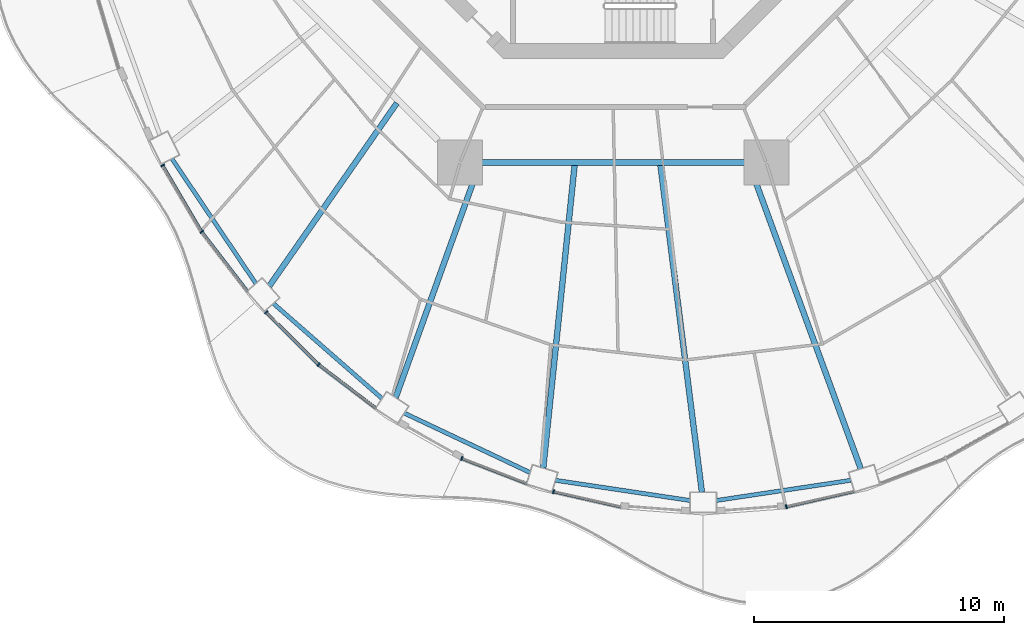
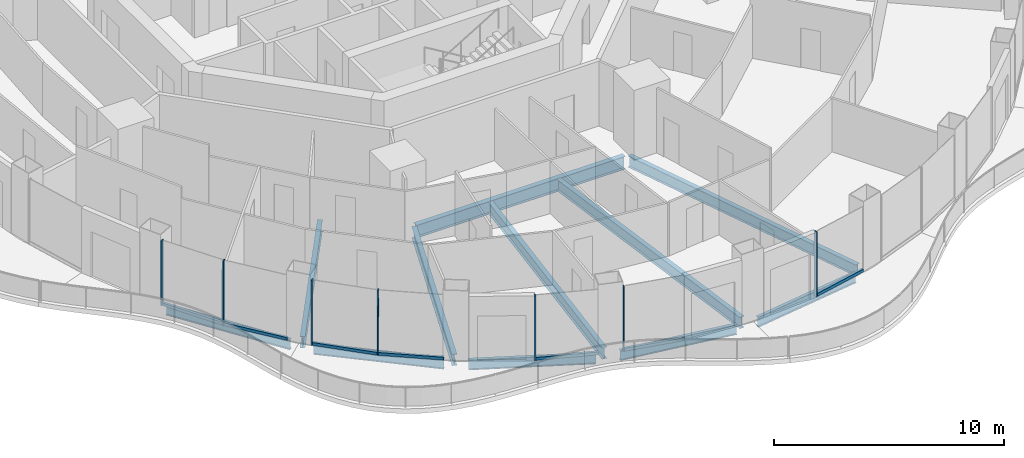
# One storey, part 2 of 19: 14 members, 11 beams, 7 elements without a shape of their own.
"""IFC4 building model written with IfcOpenShell, lengths in metres."""

import ifcopenshell
import ifcopenshell.guid

model = None  # the IFC model being written
_history = None  # IfcOwnerHistory: only IFC2X3 demands one
_inside = {}  # id of a spatial element -> (the spatial element, [elements in it])
_under = {}  # id of a project, library or spatial element -> (it, [spatial elements below it])
_declared = {}  # id of a project -> (the project, [libraries it declares])
_typed = {}  # id of a type object -> (the type object, [elements of that type])
_made_of = {}  # id of a material, layer set ... -> (it, [elements and type objects made of it])


def new_model(schema):
    """Start an empty IFC model of exactly this schema.

    Asked for "IFC4X3", IfcOpenShell would pick the latest addendum, in which some entities
    have other attributes; the version numbers below select the first issue.
    IFC2X3 requires an IfcOwnerHistory on every rooted entity: one is made here for all.
    """
    global model, _history
    if schema == "IFC4X3":
        model = ifcopenshell.file(schema_version=(4, 3, 0, 0))
    else:
        model = ifcopenshell.file(schema=schema)
    _inside.clear()
    _under.clear()
    _declared.clear()
    _typed.clear()
    _made_of.clear()
    _history = None
    if model.schema == "IFC2X3":
        org = make("IfcOrganization", Name="unknown")
        user = make(
            "IfcPersonAndOrganization",
            ThePerson=make("IfcPerson", FamilyName="unknown"),
            TheOrganization=org,
        )
        app = make(
            "IfcApplication",
            ApplicationDeveloper=org,
            Version="unknown",
            ApplicationFullName="unknown",
            ApplicationIdentifier="unknown",
        )
        _history = make(
            "IfcOwnerHistory",
            OwningUser=user,
            OwningApplication=app,
            ChangeAction="ADDED",
            CreationDate=0,
        )
    return model


def make(cls, **values):
    """One entity of the class cls with the attributes given. An attribute that is None is left unset."""
    return model.create_entity(
        cls, **{name: value for name, value in values.items() if value is not None}
    )


def rooted(cls, **values):
    """An entity with a GlobalId (a new one), such as an element, a storey or a relation."""
    return make(cls, GlobalId=ifcopenshell.guid.new(), OwnerHistory=_history, **values)


def si_unit(unit_type, name, prefix=None):
    """IfcSIUnit, for example si_unit("LENGTHUNIT", "METRE", prefix="MILLI")."""
    return make("IfcSIUnit", UnitType=unit_type, Prefix=prefix, Name=name)


def assignment(units):
    """IfcUnitAssignment: the units of a project."""
    return None if units is None else make("IfcUnitAssignment", Units=units)


def point(xyz):
    """IfcCartesianPoint."""
    return None if xyz is None else make("IfcCartesianPoint", Coordinates=xyz)


def direction(xyz):
    """IfcDirection."""
    return None if xyz is None else make("IfcDirection", DirectionRatios=xyz)


def frame(location, z_axis=None, x_axis=None):
    """IfcAxis2Placement3D, a coordinate frame: its origin and axes. An axis left out is left unset."""
    return make(
        "IfcAxis2Placement3D",
        Location=point(location),
        Axis=direction(z_axis),
        RefDirection=direction(x_axis),
    )


def frame_2d(location, x_axis=None):
    """IfcAxis2Placement2D, a coordinate frame in the plane: its origin and x axis."""
    return make(
        "IfcAxis2Placement2D", Location=point(location), RefDirection=direction(x_axis)
    )


def origin():
    """The frame at (0, 0, 0) with its axes left unset."""
    return frame((0.0, 0.0, 0.0))


def origin_2d():
    """The frame at (0, 0) in the plane with its x axis left unset."""
    return frame_2d((0.0, 0.0))


def place(relative_to, where):
    """IfcLocalPlacement: puts the frame where relative to a parent placement (None: the world)."""
    return make(
        "IfcLocalPlacement", PlacementRelTo=relative_to, RelativePlacement=where
    )


def context(
    kind, dimensions, precision=None, world=None, true_north=None, identifier=None
):
    """IfcGeometricRepresentationContext, for example the 3D "Model" context."""
    return make(
        "IfcGeometricRepresentationContext",
        ContextIdentifier=identifier,
        ContextType=kind,
        CoordinateSpaceDimension=dimensions,
        Precision=precision,
        WorldCoordinateSystem=world,
        TrueNorth=true_north,
    )


def subcontext(parent, identifier, kind, view, scale=None):
    """IfcGeometricRepresentationSubContext, for example "Body" below "Model"."""
    return make(
        "IfcGeometricRepresentationSubContext",
        ContextIdentifier=identifier,
        ContextType=kind,
        ParentContext=parent,
        TargetScale=scale,
        TargetView=view,
    )


def project(units=None, contexts=None):
    """IfcProject with its units and contexts."""
    return rooted(
        "IfcProject",
        Name="project",
        RepresentationContexts=contexts,
        UnitsInContext=assignment(units),
    )


def spatial(cls, under=None, at=None, **own):
    """A site, building, storey or space (cls), placed at a placement, below another one or the project."""
    s = rooted(cls, ObjectPlacement=at, **own)
    if under is not None:
        _under.setdefault(under.id(), (under, []))[1].append(s)
    return s


def profile(cls, at=None, kind="AREA", **sizes):
    """A parametric profile (cls). Its sizes go by their IFC names, for example OverallWidth=200.0."""
    return make(cls, ProfileType=kind, Position=at, **sizes)


def rectangle(**sizes):
    """IfcRectangleProfileDef."""
    return profile("IfcRectangleProfileDef", **sizes)


def i_section(**sizes):
    """IfcIShapeProfileDef."""
    return profile("IfcIShapeProfileDef", **sizes)


def extrude(swept, where, along, depth):
    """IfcExtrudedAreaSolid: the profile swept, set in the frame where, extruded along a direction by depth."""
    return make(
        "IfcExtrudedAreaSolid",
        SweptArea=swept,
        Position=where,
        ExtrudedDirection=direction(along),
        Depth=depth,
    )


def shape(context_of_items, identifier, shape_type, items):
    """IfcShapeRepresentation: the items that make up one representation, for example the "Body"."""
    return make(
        "IfcShapeRepresentation",
        ContextOfItems=context_of_items,
        RepresentationIdentifier=identifier,
        RepresentationType=shape_type,
        Items=items,
    )


def material(Name=None, Category=None):
    """IfcMaterial."""
    return make("IfcMaterial", Name=Name, Category=Category)


def layer(
    of_material, thickness, ventilated=None, Name=None, Category=None, Priority=None
):
    """IfcMaterialLayer: one layer of a wall or slab, of a material (None: an air gap)."""
    return make(
        "IfcMaterialLayer",
        Material=of_material,
        LayerThickness=thickness,
        IsVentilated=ventilated,
        Name=Name,
        Category=Category,
        Priority=Priority,
    )


def layer_set(layers, Name=None):
    """IfcMaterialLayerSet."""
    return make("IfcMaterialLayerSet", MaterialLayers=layers, LayerSetName=Name)


def material_profile(
    of_material, cross_section, Name=None, Category=None, Priority=None
):
    """IfcMaterialProfile: a cross section and its material."""
    return make(
        "IfcMaterialProfile",
        Name=Name,
        Material=of_material,
        Profile=cross_section,
        Priority=Priority,
        Category=Category,
    )


def profile_set(profiles, Name=None, composite=None):
    """IfcMaterialProfileSet."""
    return make(
        "IfcMaterialProfileSet",
        Name=Name,
        MaterialProfiles=profiles,
        CompositeProfile=composite,
    )


def made_of(thing, what):
    """Note that an element or type object is made of a material, layer set ...; save() writes the relation."""
    if what is not None:
        _made_of.setdefault(what.id(), (what, []))[1].append(thing)
    return thing


def type_object(cls, material=None, **own):
    """A type object (cls), such as IfcWallType, which elements share."""
    return made_of(rooted(cls, **own), material)


def element(
    cls,
    number,
    at=None,
    inside=None,
    cuts=None,
    type_object=None,
    material=None,
    context=None,
    identifier="Body",
    shape_type=None,
    held_by="IfcProductDefinitionShape",
    body=None,
    shapes=None,
    **own,
):
    """One element of the class cls, such as IfcWall. Its Tag is "e" and its number.

    at: its placement. inside: the storey or other place that contains it. cuts: it is an
    opening in that element (IfcRelVoidsElement). A single representation is given by context,
    identifier, shape_type and body (its items); several are given by shapes. held_by: the class
    of the entity that holds the representations. save() writes the other relations.
    """
    e = rooted(cls, Tag="e%d" % number, ObjectPlacement=at, **own)
    if body is not None:
        shapes = [shape(context, identifier, shape_type, body)]
    if shapes is not None:
        e.Representation = make(held_by, Representations=shapes)
    if inside is not None:
        _inside.setdefault(inside.id(), (inside, []))[1].append(e)
    if cuts is not None:
        rooted(
            "IfcRelVoidsElement", RelatingBuildingElement=cuts, RelatedOpeningElement=e
        )
    if type_object is not None:
        _typed.setdefault(type_object.id(), (type_object, []))[1].append(e)
    return made_of(e, material)


def aggregate(whole, parts):
    """IfcRelAggregates: a whole, such as a stair, and the parts it consists of."""
    return rooted("IfcRelAggregates", RelatingObject=whole, RelatedObjects=parts)


def save(model, path):
    """Write the relations noted so far, then the file.

    IfcRelAggregates (storeys below a building ...), IfcRelContainedInSpatialStructure (elements
    in a storey), IfcRelDefinesByType, IfcRelAssociatesMaterial and IfcRelDeclares: one each for
    every whole, place, type object, material and project.
    """
    for whole, parts in _under.values():
        aggregate(whole, parts)
    for where, things in _inside.values():
        rooted(
            "IfcRelContainedInSpatialStructure",
            RelatedElements=things,
            RelatingStructure=where,
        )
    for kind, things in _typed.values():
        rooted("IfcRelDefinesByType", RelatedObjects=things, RelatingType=kind)
    for what, things in _made_of.values():
        rooted("IfcRelAssociatesMaterial", RelatedObjects=things, RelatingMaterial=what)
    for by, libraries in _declared.values():
        rooted("IfcRelDeclares", RelatingContext=by, RelatedDefinitions=libraries)
    model.write(path)


model = new_model("IFC4")

# Units and contexts
model_context = context("Model", 3, precision=1e-05, world=origin(), true_north=direction((0.0, 1.0)))
body_context = subcontext(model_context, "Body", "Model", "MODEL_VIEW")
ifc_project = project(units=[si_unit("LENGTHUNIT", "METRE"), si_unit("AREAUNIT", "SQUARE_METRE"), si_unit("VOLUMEUNIT", "CUBIC_METRE"), si_unit("PLANEANGLEUNIT", "RADIAN"), si_unit("MASSUNIT", "GRAM", prefix="KILO")], contexts=[model_context])

# Site, building, storey
site_placement = place(None, origin())
site = spatial("IfcSite", under=ifc_project, at=site_placement, CompositionType="ELEMENT")
building_placement = place(site_placement, origin())
building = spatial("IfcBuilding", under=site, at=building_placement, Name="Nagisa Residences", CompositionType="ELEMENT")
storey_placement = place(building_placement, frame((0.0, 0.0, 180.699951171875)))
storey = spatial("IfcBuildingStorey", under=building, at=storey_placement, Name="L45", CompositionType="ELEMENT", Elevation=180.699951171875)

# Curtain wall, member
ifc_material_1 = material(Name="Concrete-coloured aluminium curtain wall system", Category="concrete")
ifc_layer = layer(ifc_material_1, 0.159912109375)
ifc_layer_set = layer_set([ifc_layer], Name="CW1 CURTAIN WALL")
curtain_wall_type = type_object("IfcCurtainWallType", Name="CW1 CURTAIN WALL", PredefinedType="NOTDEFINED", material=ifc_layer_set)
curtain_wall_1_placement = place(storey_placement, origin())
curtain_wall_1 = element("IfcCurtainWall", 1, at=curtain_wall_1_placement, inside=storey, type_object=curtain_wall_type, Name="cw:CW1:L45:28", PredefinedType="NOTDEFINED")
ifc_material_2 = material(Name="Concrete-coloured aluminium", Category="concrete")
ifc_material_profile_1 = material_profile(ifc_material_2, rectangle(XDim=0.159912109375, YDim=0.06005859375, at=origin_2d()), Name="CW1 MULLION 160x60")
ifc_profile_set_1 = profile_set([ifc_material_profile_1], Name="Concrete-coloured aluminium")
member_type_1 = type_object("IfcMemberType", Name="CW1 MULLION 160x60", PredefinedType="MULLION", material=ifc_profile_set_1)
member_1_placement = place(storey_placement, frame((-18.0126953125, -14.897216796875, 0.0), z_axis=(0.0, 0.0, 1.0), x_axis=(0.862328898214, 0.506348567002, 0.0)))
member_1 = element("IfcMember", 2, at=member_1_placement, type_object=member_type_1, Name="CW1 mullion", PredefinedType="MULLION", context=body_context, shape_type="SweptSolid", body=[
    extrude(rectangle(XDim=0.159912109375, YDim=0.06005859375, at=origin_2d()), origin(), (0.0, 0.0, 1.0), 3.43994140625),
])

curtain_wall_2_placement = place(storey_placement, origin())
curtain_wall_2 = element("IfcCurtainWall", 3, at=curtain_wall_2_placement, inside=storey, type_object=curtain_wall_type, Name="cw:CW1:L45:29", PredefinedType="NOTDEFINED")
member_2_placement = place(storey_placement, frame((-16.44970703125, -17.552978515625, 0.0), z_axis=(0.0, 0.0, 1.0), x_axis=(0.792070340816, 0.610429828235, 0.0)))
member_2 = element("IfcMember", 4, at=member_2_placement, type_object=member_type_1, Name="CW1 mullion", PredefinedType="MULLION", context=body_context, shape_type="SweptSolid", body=[
    extrude(rectangle(XDim=0.159912109375, YDim=0.06005859375, at=origin_2d()), origin(), (0.0, 0.0, 1.0), 3.43994140625),
])

curtain_wall_3_placement = place(storey_placement, origin())
curtain_wall_3 = element("IfcCurtainWall", 5, at=curtain_wall_3_placement, inside=storey, type_object=curtain_wall_type, Name="cw:CW1:L45:30", PredefinedType="NOTDEFINED")
member_3_placement = place(storey_placement, frame((-13.875732421875, -20.770751953125, 0.0), z_axis=(0.0, 0.0, 1.0), x_axis=(0.706376885714, 0.707835924016, 0.0)))
member_3 = element("IfcMember", 6, at=member_3_placement, type_object=member_type_1, Name="CW1 mullion", PredefinedType="MULLION", context=body_context, shape_type="SweptSolid", body=[
    extrude(rectangle(XDim=0.159912109375, YDim=0.06005859375, at=origin_2d()), origin(), (0.0, 0.0, 1.0), 3.43994140625),
])

curtain_wall_4_placement = place(storey_placement, origin())
curtain_wall_4 = element("IfcCurtainWall", 7, at=curtain_wall_4_placement, inside=storey, type_object=curtain_wall_type, Name="cw:CW1:L45:31", PredefinedType="NOTDEFINED")
member_4_placement = place(storey_placement, frame((-11.77490234375, -22.862548828125, 0.0), z_axis=(0.0, 0.0, 1.0), x_axis=(0.605255421737, 0.79603132756, 0.0)))
member_4 = element("IfcMember", 8, at=member_4_placement, type_object=member_type_1, Name="CW1 mullion", PredefinedType="MULLION", context=body_context, shape_type="SweptSolid", body=[
    extrude(rectangle(XDim=0.159912109375, YDim=0.06005859375, at=origin_2d()), origin(), (0.0, 0.0, 1.0), 3.43994140625),
])

curtain_wall_5_placement = place(storey_placement, origin())
curtain_wall_5 = element("IfcCurtainWall", 9, at=curtain_wall_5_placement, inside=storey, type_object=curtain_wall_type, Name="cw:CW1:L45:33", PredefinedType="NOTDEFINED")
member_5_placement = place(storey_placement, frame((-6.0537109375, -26.61328125, 0.0), z_axis=(0.0, 0.0, 1.0), x_axis=(0.360327770268, 0.932825759707, 0.0)))
member_5 = element("IfcMember", 10, at=member_5_placement, type_object=member_type_1, Name="CW1 mullion", PredefinedType="MULLION", context=body_context, shape_type="SweptSolid", body=[
    extrude(rectangle(XDim=0.159912109375, YDim=0.06005859375, at=origin_2d()), origin(), (0.0, 0.0, 1.0), 3.43994140625),
])

curtain_wall_6_placement = place(storey_placement, origin())
curtain_wall_6 = element("IfcCurtainWall", 11, at=curtain_wall_6_placement, inside=storey, type_object=curtain_wall_type, Name="cw:CW1:L45:34", PredefinedType="NOTDEFINED")
member_6_placement = place(storey_placement, frame((-2.38427734375, -27.941162109375, 0.0), z_axis=(0.0, 0.0, 1.0), x_axis=(0.2207639201, 0.975327274089, 0.0)))
member_6 = element("IfcMember", 12, at=member_6_placement, type_object=member_type_1, Name="CW1 mullion", PredefinedType="MULLION", context=body_context, shape_type="SweptSolid", body=[
    extrude(rectangle(XDim=0.159912109375, YDim=0.06005859375, at=origin_2d()), origin(), (0.0, 0.0, 1.0), 3.43994140625),
])

curtain_wall_7_placement = place(storey_placement, origin())
curtain_wall_7 = element("IfcCurtainWall", 13, at=curtain_wall_7_placement, inside=storey, type_object=curtain_wall_type, Name="cw:CW1:L45:37", PredefinedType="NOTDEFINED")
member_7_placement = place(storey_placement, frame((6.923583984375, -28.543212890625, 0.0), z_axis=(0.0, 0.0, 1.0), x_axis=(-0.2207639201, 0.975327274089, 0.0)))
member_7 = element("IfcMember", 14, at=member_7_placement, type_object=member_type_1, Name="CW1 mullion", PredefinedType="MULLION", context=body_context, shape_type="SweptSolid", body=[
    extrude(rectangle(XDim=0.159912109375, YDim=0.06005859375, at=origin_2d()), origin(), (0.0, 0.0, 1.0), 3.43994140625),
])

# Member
ifc_material_3 = material(Name="Concrete-coloured aluminium", Category="concrete")
ifc_material_profile_2 = material_profile(ifc_material_3, rectangle(XDim=0.1201171875, YDim=0.14990234375, at=origin_2d()), Name="CW1 TRANSOM 120x150")
ifc_profile_set_2 = profile_set([ifc_material_profile_2], Name="Concrete-coloured aluminium")
member_type_2 = type_object("IfcMemberType", Name="CW1 TRANSOM 120x150", PredefinedType="USERDEFINED", material=ifc_profile_set_2)
member_8_placement = place(storey_placement, frame((-18.02783203125, -14.871337890625, 0.074951171875), z_axis=(0.506309086483, -0.862352079458, 0.0), x_axis=(0.862352079458, 0.506309086483, 0.0)))
member_8 = element("IfcMember", 15, at=member_8_placement, type_object=member_type_2, Name="CW1 transom", ObjectType="TRANSOM", PredefinedType="USERDEFINED", context=body_context, shape_type="SweptSolid", body=[
    extrude(rectangle(XDim=0.1201171875, YDim=0.14990234375, at=origin_2d()), origin(), (0.0, 0.0, 1.0), 3.091796875),
])

aggregate(curtain_wall_1, [member_1, member_8])

member_9_placement = place(storey_placement, frame((-16.468017578125, -17.529052734375, 0.074951171875), z_axis=(0.610398538814, -0.792094453846, 0.0), x_axis=(0.792094453846, 0.610398538814, 0.0)))
member_9 = element("IfcMember", 16, at=member_9_placement, type_object=member_type_2, Name="CW1 transom", ObjectType="TRANSOM", PredefinedType="USERDEFINED", context=body_context, shape_type="SweptSolid", body=[
    extrude(rectangle(XDim=0.1201171875, YDim=0.14990234375, at=origin_2d()), origin(), (0.0, 0.0, 1.0), 3.035400390625),
])

aggregate(curtain_wall_2, [member_2, member_9])

member_10_placement = place(storey_placement, frame((-13.89697265625, -20.74951171875, 0.074951171875), z_axis=(0.707803821372, -0.706409053206, 0.0), x_axis=(0.706409053206, 0.707803821372, 0.0)))
member_10 = element("IfcMember", 17, at=member_10_placement, type_object=member_type_2, Name="CW1 transom", ObjectType="TRANSOM", PredefinedType="USERDEFINED", context=body_context, shape_type="SweptSolid", body=[
    extrude(rectangle(XDim=0.1201171875, YDim=0.14990234375, at=origin_2d()), origin(), (0.0, 0.0, 1.0), 2.9755859375),
])

aggregate(curtain_wall_3, [member_3, member_10])

member_11_placement = place(storey_placement, frame((-11.798828125, -22.844482421875, 0.074951171875), z_axis=(0.796055733703, -0.60522332146, 0.0), x_axis=(0.60522332146, 0.796055733703, 0.0)))
member_11 = element("IfcMember", 18, at=member_11_placement, type_object=member_type_2, Name="CW1 transom", ObjectType="TRANSOM", PredefinedType="USERDEFINED", context=body_context, shape_type="SweptSolid", body=[
    extrude(rectangle(XDim=0.1201171875, YDim=0.14990234375, at=origin_2d()), origin(), (0.0, 0.0, 1.0), 2.9169921875),
])

aggregate(curtain_wall_4, [member_4, member_11])

member_12_placement = place(storey_placement, frame((-6.081787109375, -26.602294921875, 0.074951171875), z_axis=(0.932806734513, -0.360377019311, 0.0), x_axis=(0.360377019311, 0.932806734513, 0.0)))
member_12 = element("IfcMember", 19, at=member_12_placement, type_object=member_type_2, Name="CW1 transom", ObjectType="TRANSOM", PredefinedType="USERDEFINED", context=body_context, shape_type="SweptSolid", body=[
    extrude(rectangle(XDim=0.1201171875, YDim=0.14990234375, at=origin_2d()), origin(), (0.0, 0.0, 1.0), 2.819580078125),
])

aggregate(curtain_wall_5, [member_5, member_12])

member_13_placement = place(storey_placement, frame((-2.413330078125, -27.9345703125, 0.074951171875), z_axis=(0.975324329911, -0.220776926974, 0.0), x_axis=(0.220776926974, 0.975324329911, 0.0)))
member_13 = element("IfcMember", 20, at=member_13_placement, type_object=member_type_2, Name="CW1 transom", ObjectType="TRANSOM", PredefinedType="USERDEFINED", context=body_context, shape_type="SweptSolid", body=[
    extrude(rectangle(XDim=0.1201171875, YDim=0.14990234375, at=origin_2d()), origin(), (0.0, 0.0, 1.0), 2.787841796875),
])

aggregate(curtain_wall_6, [member_6, member_13])

member_14_placement = place(storey_placement, frame((6.89453125, -28.550048828125, 0.074951171875), z_axis=(0.975324329911, 0.220776926974, 0.0), x_axis=(-0.220776926974, 0.975324329911, 0.0)))
member_14 = element("IfcMember", 21, at=member_14_placement, type_object=member_type_2, Name="CW1 transom", ObjectType="TRANSOM", PredefinedType="USERDEFINED", context=body_context, shape_type="SweptSolid", body=[
    extrude(rectangle(XDim=0.1201171875, YDim=0.14990234375, at=origin_2d()), origin(), (0.0, 0.0, 1.0), 2.787841796875),
])

aggregate(curtain_wall_7, [member_7, member_14])

# Beams
ifc_material_4 = material(Name="Steel ASTM A572 Gr 50", Category="steel")
ifc_material_profile_3 = material_profile(ifc_material_4, i_section(OverallWidth=0.25390625, OverallDepth=0.68408203125, WebThickness=0.012451171875, FlangeThickness=0.018798828125, at=origin_2d()), Name="W690x140")
ifc_profile_set_3 = profile_set([ifc_material_profile_3], Name="Steel ASTM A572 Gr 50")
beam_type_1 = type_object("IfcBeamType", Name="Inner ring beam W690x140", PredefinedType="BEAM", material=ifc_profile_set_3)
beam_1_placement = place(storey_placement, frame((-5.242919921875, -14.781982421875, -0.60205078125), z_axis=(1.0, 0.0, 0.0), x_axis=(0.0, 1.0, 0.0)))
element("IfcBeam", 22, at=beam_1_placement, inside=storey, type_object=beam_type_1, Name="beam:L45:ib6", PredefinedType="BEAM", context=body_context, shape_type="SweptSolid", body=[
    extrude(i_section(OverallWidth=0.25390625, OverallDepth=0.68408203125, WebThickness=0.012451171875, FlangeThickness=0.018798828125, at=origin_2d()), origin(), (0.0, 0.0, 1.0), 10.48583984375),
])
ifc_material_5 = material(Name="Steel ASTM A572 Gr 50", Category="steel")
ifc_material_profile_4 = material_profile(ifc_material_5, i_section(OverallWidth=0.166015625, OverallDepth=0.534912109375, WebThickness=0.01025390625, FlangeThickness=0.0166015625, at=origin_2d()), Name="W530x85")
ifc_profile_set_4 = profile_set([ifc_material_profile_4], Name="Steel ASTM A572 Gr 50")
beam_type_2 = type_object("IfcBeamType", Name="Perimeter ring beam W530x85", PredefinedType="BEAM", material=ifc_profile_set_4)
beam_2_placement = place(storey_placement, frame((-17.644287109375, -14.630615234375, -0.52734375), z_axis=(0.558152301307, -0.829738518177, 0.0), x_axis=(0.829738518177, 0.558152301307, 0.0)))
element("IfcBeam", 23, at=beam_2_placement, inside=storey, type_object=beam_type_2, Name="beam:L45:pb15", PredefinedType="BEAM", context=body_context, shape_type="SweptSolid", body=[
    extrude(i_section(OverallWidth=0.166015625, OverallDepth=0.534912109375, WebThickness=0.01025390625, FlangeThickness=0.0166015625, at=origin_2d()), origin(), (0.0, 0.0, 1.0), 6.013916015625),
])
beam_3_placement = place(storey_placement, frame((-13.5869140625, -20.416259765625, -0.52734375), z_axis=(0.752461486776, -0.658636250838, 0.0), x_axis=(0.658636250838, 0.752461486776, 0.0)))
element("IfcBeam", 24, at=beam_3_placement, inside=storey, type_object=beam_type_2, Name="beam:L45:pb16", PredefinedType="BEAM", context=body_context, shape_type="SweptSolid", body=[
    extrude(i_section(OverallWidth=0.166015625, OverallDepth=0.534912109375, WebThickness=0.01025390625, FlangeThickness=0.0166015625, at=origin_2d()), origin(), (0.0, 0.0, 1.0), 5.776611328125),
])
beam_4_placement = place(storey_placement, frame((-8.353515625, -24.80224609375, -0.52734375), z_axis=(0.904157325884, -0.427199637232, 0.0), x_axis=(0.427199637232, 0.904157325884, 0.0)))
element("IfcBeam", 25, at=beam_4_placement, inside=storey, type_object=beam_type_2, Name="beam:L45:pb17", PredefinedType="BEAM", context=body_context, shape_type="SweptSolid", body=[
    extrude(i_section(OverallWidth=0.166015625, OverallDepth=0.534912109375, WebThickness=0.01025390625, FlangeThickness=0.0166015625, at=origin_2d()), origin(), (0.0, 0.0, 1.0), 5.56396484375),
])
for number, where, z_axis, x_axis, name in (
    (26, (-2.30810546875, -27.48779296875, -0.52734375), (0.988911312658, -0.148507291732, 0.0), (0.148507291732, 0.988911312658, 0.0), "beam:L45:pb18"),
    (27, (4.130126953125, -28.29541015625, -0.52734375), (0.988911312658, 0.148507291732, 0.0), (-0.148507291732, 0.988911312658, 0.0), "beam:L45:pb19"),
):
    element("IfcBeam", number, at=place(storey_placement, frame(where, z_axis=z_axis, x_axis=x_axis)), inside=storey, type_object=beam_type_2, Name=name, PredefinedType="BEAM", context=body_context, shape_type="SweptSolid", body=[
        extrude(i_section(OverallWidth=0.166015625, OverallDepth=0.534912109375, WebThickness=0.01025390625, FlangeThickness=0.0166015625, at=origin_2d()), origin(), (0.0, 0.0, 1.0), 5.438232421875),
    ])
ifc_material_6 = material(Name="Steel ASTM A572 Gr 50", Category="steel")
ifc_material_profile_5 = material_profile(ifc_material_6, i_section(OverallWidth=0.22802734375, OverallDepth=0.60302734375, WebThickness=0.010498046875, FlangeThickness=0.014892578125, at=origin_2d()), Name="W610x101")
ifc_profile_set_5 = profile_set([ifc_material_profile_5], Name="Steel ASTM A572 Gr 50")
beam_type_3 = type_object("IfcBeamType", Name="Radial beam W610x101", PredefinedType="BEAM", material=ifc_profile_set_5)
beam_5_placement = place(storey_placement, frame((-13.75048828125, -19.7216796875, -0.5615234375), z_axis=(0.571934479253, 0.82029930601, 0.0), x_axis=(-0.82029930601, 0.571934479253, 0.0)))
element("IfcBeam", 28, at=beam_5_placement, inside=storey, type_object=beam_type_3, Name="beam:L45:rb16", PredefinedType="BEAM", context=body_context, shape_type="SweptSolid", body=[
    extrude(i_section(OverallWidth=0.22802734375, OverallDepth=0.60302734375, WebThickness=0.010498046875, FlangeThickness=0.014892578125, at=origin_2d()), origin(), (0.0, 0.0, 1.0), 8.917724609375),
])
beam_6_placement = place(storey_placement, frame((-8.6962890625, -24.180908203125, -0.5615234375), z_axis=(0.338417364879, 0.940996114311, 0.0), x_axis=(-0.940996114311, 0.338417364879, 0.0)))
element("IfcBeam", 29, at=beam_6_placement, inside=storey, type_object=beam_type_3, Name="beam:L45:rb17", PredefinedType="BEAM", context=body_context, shape_type="SweptSolid", body=[
    extrude(i_section(OverallWidth=0.22802734375, OverallDepth=0.60302734375, WebThickness=0.010498046875, FlangeThickness=0.014892578125, at=origin_2d()), origin(), (0.0, 0.0, 1.0), 9.873291015625),
])
beam_7_placement = place(storey_placement, frame((-2.795654296875, -26.997314453125, -0.5615234375), z_axis=(0.103007948723, 0.994680532885, 0.0), x_axis=(-0.994680532885, 0.103007948723, 0.0)))
element("IfcBeam", 30, at=beam_7_placement, inside=storey, type_object=beam_type_3, Name="beam:L45:rb18", PredefinedType="BEAM", context=body_context, shape_type="SweptSolid", body=[
    extrude(i_section(OverallWidth=0.22802734375, OverallDepth=0.60302734375, WebThickness=0.010498046875, FlangeThickness=0.014892578125, at=origin_2d()), origin(), (0.0, 0.0, 1.0), 12.1728515625),
])
beam_8_placement = place(storey_placement, frame((3.548583984375, -27.9697265625, -0.5615234375), z_axis=(-0.125871302495, 0.992046579153, 0.0), x_axis=(-0.992046579153, -0.125871302495, 0.0)))
element("IfcBeam", 31, at=beam_8_placement, inside=storey, type_object=beam_type_3, Name="beam:L45:rb19", PredefinedType="BEAM", context=body_context, shape_type="SweptSolid", body=[
    extrude(i_section(OverallWidth=0.22802734375, OverallDepth=0.60302734375, WebThickness=0.010498046875, FlangeThickness=0.014892578125, at=origin_2d()), origin(), (0.0, 0.0, 1.0), 13.185546875),
])
beam_9_placement = place(storey_placement, frame((9.898681640625, -27.02734375, -0.5615234375), z_axis=(-0.343903309659, 0.939005065804, 0.0), x_axis=(-0.939005065804, -0.343903309659, 0.0)))
element("IfcBeam", 32, at=beam_9_placement, inside=storey, type_object=beam_type_3, Name="beam:L45:rb20", PredefinedType="BEAM", context=body_context, shape_type="SweptSolid", body=[
    extrude(i_section(OverallWidth=0.22802734375, OverallDepth=0.60302734375, WebThickness=0.010498046875, FlangeThickness=0.014892578125, at=origin_2d()), origin(), (0.0, 0.0, 1.0), 12.92529296875),
])

save(model, "model.ifc")
